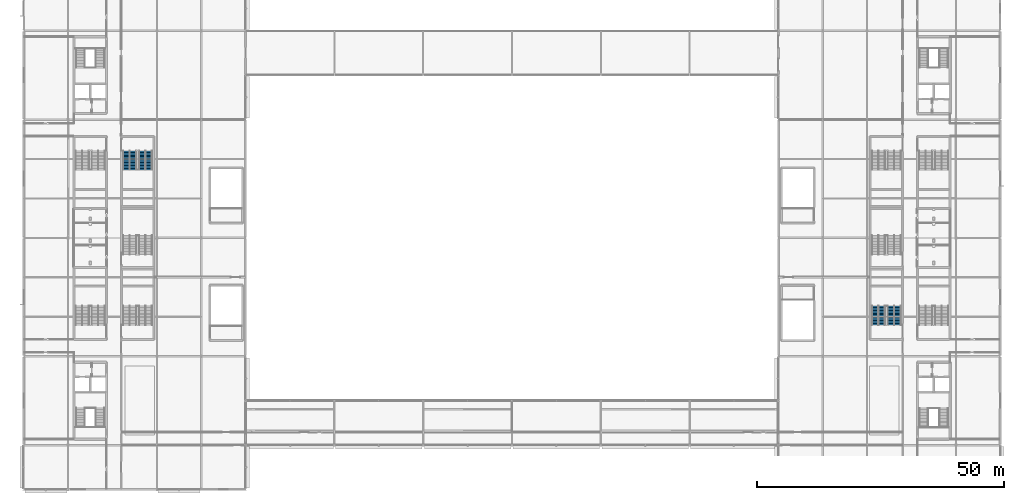
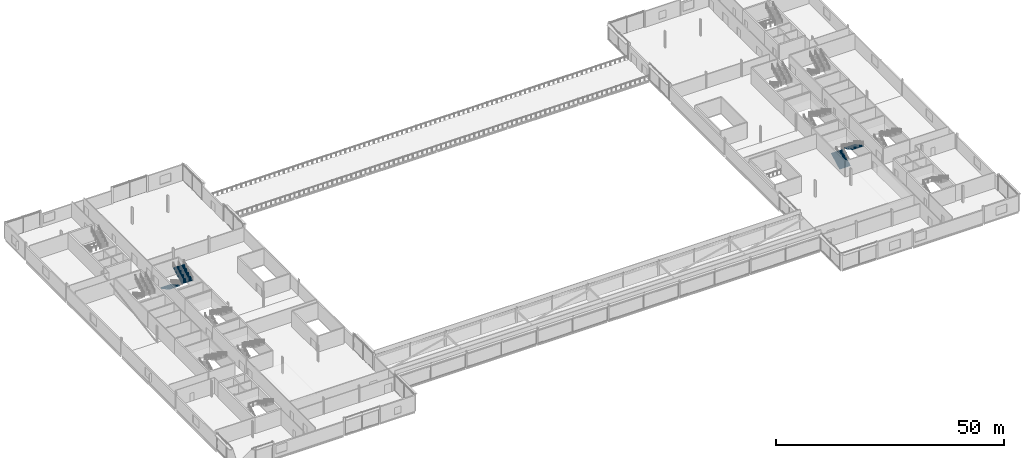
# One storey, part 62 of 73: 4 stair flights, 2 elements without a shape of their own.
"""IFC4 building model written with IfcOpenShell, lengths in metres."""

import ifcopenshell
import ifcopenshell.guid

model = None  # the IFC model being written
_history = None  # IfcOwnerHistory: only IFC2X3 demands one
_inside = {}  # id of a spatial element -> (the spatial element, [elements in it])
_under = {}  # id of a project, library or spatial element -> (it, [spatial elements below it])
_declared = {}  # id of a project -> (the project, [libraries it declares])
_typed = {}  # id of a type object -> (the type object, [elements of that type])
_made_of = {}  # id of a material, layer set ... -> (it, [elements and type objects made of it])


def new_model(schema):
    """Start an empty IFC model of exactly this schema.

    Asked for "IFC4X3", IfcOpenShell would pick the latest addendum, in which some entities
    have other attributes; the version numbers below select the first issue.
    IFC2X3 requires an IfcOwnerHistory on every rooted entity: one is made here for all.
    """
    global model, _history
    if schema == "IFC4X3":
        model = ifcopenshell.file(schema_version=(4, 3, 0, 0))
    else:
        model = ifcopenshell.file(schema=schema)
    _inside.clear()
    _under.clear()
    _declared.clear()
    _typed.clear()
    _made_of.clear()
    _history = None
    if model.schema == "IFC2X3":
        org = make("IfcOrganization", Name="unknown")
        user = make(
            "IfcPersonAndOrganization",
            ThePerson=make("IfcPerson", FamilyName="unknown"),
            TheOrganization=org,
        )
        app = make(
            "IfcApplication",
            ApplicationDeveloper=org,
            Version="unknown",
            ApplicationFullName="unknown",
            ApplicationIdentifier="unknown",
        )
        _history = make(
            "IfcOwnerHistory",
            OwningUser=user,
            OwningApplication=app,
            ChangeAction="ADDED",
            CreationDate=0,
        )
    return model


def make(cls, **values):
    """One entity of the class cls with the attributes given. An attribute that is None is left unset."""
    return model.create_entity(
        cls, **{name: value for name, value in values.items() if value is not None}
    )


def rooted(cls, **values):
    """An entity with a GlobalId (a new one), such as an element, a storey or a relation."""
    return make(cls, GlobalId=ifcopenshell.guid.new(), OwnerHistory=_history, **values)


def si_unit(unit_type, name, prefix=None):
    """IfcSIUnit, for example si_unit("LENGTHUNIT", "METRE", prefix="MILLI")."""
    return make("IfcSIUnit", UnitType=unit_type, Prefix=prefix, Name=name)


def assignment(units):
    """IfcUnitAssignment: the units of a project."""
    return None if units is None else make("IfcUnitAssignment", Units=units)


def point(xyz):
    """IfcCartesianPoint."""
    return None if xyz is None else make("IfcCartesianPoint", Coordinates=xyz)


def direction(xyz):
    """IfcDirection."""
    return None if xyz is None else make("IfcDirection", DirectionRatios=xyz)


def frame(location, z_axis=None, x_axis=None):
    """IfcAxis2Placement3D, a coordinate frame: its origin and axes. An axis left out is left unset."""
    return make(
        "IfcAxis2Placement3D",
        Location=point(location),
        Axis=direction(z_axis),
        RefDirection=direction(x_axis),
    )


def origin():
    """The frame at (0, 0, 0) with its axes left unset."""
    return frame((0.0, 0.0, 0.0))


def place(relative_to, where):
    """IfcLocalPlacement: puts the frame where relative to a parent placement (None: the world)."""
    return make(
        "IfcLocalPlacement", PlacementRelTo=relative_to, RelativePlacement=where
    )


def context(
    kind, dimensions, precision=None, world=None, true_north=None, identifier=None
):
    """IfcGeometricRepresentationContext, for example the 3D "Model" context."""
    return make(
        "IfcGeometricRepresentationContext",
        ContextIdentifier=identifier,
        ContextType=kind,
        CoordinateSpaceDimension=dimensions,
        Precision=precision,
        WorldCoordinateSystem=world,
        TrueNorth=true_north,
    )


def subcontext(parent, identifier, kind, view, scale=None):
    """IfcGeometricRepresentationSubContext, for example "Body" below "Model"."""
    return make(
        "IfcGeometricRepresentationSubContext",
        ContextIdentifier=identifier,
        ContextType=kind,
        ParentContext=parent,
        TargetScale=scale,
        TargetView=view,
    )


def project(units=None, contexts=None):
    """IfcProject with its units and contexts."""
    return rooted(
        "IfcProject",
        Name="project",
        RepresentationContexts=contexts,
        UnitsInContext=assignment(units),
    )


def spatial(cls, under=None, at=None, **own):
    """A site, building, storey or space (cls), placed at a placement, below another one or the project."""
    s = rooted(cls, ObjectPlacement=at, **own)
    if under is not None:
        _under.setdefault(under.id(), (under, []))[1].append(s)
    return s


def point_list(points):
    """IfcCartesianPointList2D or 3D."""
    cls = (
        "IfcCartesianPointList2D" if len(points[0]) == 2 else "IfcCartesianPointList3D"
    )
    return make(cls, CoordList=points)


def polygons(points, faces, closed=None, point_numbers=None):
    """IfcPolygonalFaceSet: a face is its outer loop, then its inner loops; points numbered from 1."""
    made = []
    for loops in faces:
        if len(loops) == 1:
            made.append(make("IfcIndexedPolygonalFace", CoordIndex=loops[0]))
        else:
            made.append(
                make(
                    "IfcIndexedPolygonalFaceWithVoids",
                    CoordIndex=loops[0],
                    InnerCoordIndices=loops[1:],
                )
            )
    return make(
        "IfcPolygonalFaceSet",
        Coordinates=point_list(points),
        Closed=closed,
        Faces=made,
        PnIndex=point_numbers,
    )


def shape(context_of_items, identifier, shape_type, items):
    """IfcShapeRepresentation: the items that make up one representation, for example the "Body"."""
    return make(
        "IfcShapeRepresentation",
        ContextOfItems=context_of_items,
        RepresentationIdentifier=identifier,
        RepresentationType=shape_type,
        Items=items,
    )


def material(Name=None, Category=None):
    """IfcMaterial."""
    return make("IfcMaterial", Name=Name, Category=Category)


def made_of(thing, what):
    """Note that an element or type object is made of a material, layer set ...; save() writes the relation."""
    if what is not None:
        _made_of.setdefault(what.id(), (what, []))[1].append(thing)
    return thing


def type_object(cls, material=None, **own):
    """A type object (cls), such as IfcWallType, which elements share."""
    return made_of(rooted(cls, **own), material)


def element(
    cls,
    number,
    at=None,
    inside=None,
    cuts=None,
    type_object=None,
    material=None,
    context=None,
    identifier="Body",
    shape_type=None,
    held_by="IfcProductDefinitionShape",
    body=None,
    shapes=None,
    **own,
):
    """One element of the class cls, such as IfcWall. Its Tag is "e" and its number.

    at: its placement. inside: the storey or other place that contains it. cuts: it is an
    opening in that element (IfcRelVoidsElement). A single representation is given by context,
    identifier, shape_type and body (its items); several are given by shapes. held_by: the class
    of the entity that holds the representations. save() writes the other relations.
    """
    e = rooted(cls, Tag="e%d" % number, ObjectPlacement=at, **own)
    if body is not None:
        shapes = [shape(context, identifier, shape_type, body)]
    if shapes is not None:
        e.Representation = make(held_by, Representations=shapes)
    if inside is not None:
        _inside.setdefault(inside.id(), (inside, []))[1].append(e)
    if cuts is not None:
        rooted(
            "IfcRelVoidsElement", RelatingBuildingElement=cuts, RelatedOpeningElement=e
        )
    if type_object is not None:
        _typed.setdefault(type_object.id(), (type_object, []))[1].append(e)
    return made_of(e, material)


def aggregate(whole, parts):
    """IfcRelAggregates: a whole, such as a stair, and the parts it consists of."""
    return rooted("IfcRelAggregates", RelatingObject=whole, RelatedObjects=parts)


def save(model, path):
    """Write the relations noted so far, then the file.

    IfcRelAggregates (storeys below a building ...), IfcRelContainedInSpatialStructure (elements
    in a storey), IfcRelDefinesByType, IfcRelAssociatesMaterial and IfcRelDeclares: one each for
    every whole, place, type object, material and project.
    """
    for whole, parts in _under.values():
        aggregate(whole, parts)
    for where, things in _inside.values():
        rooted(
            "IfcRelContainedInSpatialStructure",
            RelatedElements=things,
            RelatingStructure=where,
        )
    for kind, things in _typed.values():
        rooted("IfcRelDefinesByType", RelatedObjects=things, RelatingType=kind)
    for what, things in _made_of.values():
        rooted("IfcRelAssociatesMaterial", RelatedObjects=things, RelatingMaterial=what)
    for by, libraries in _declared.values():
        rooted("IfcRelDeclares", RelatingContext=by, RelatedDefinitions=libraries)
    model.write(path)


model = new_model("IFC4")

# Units and contexts
model_context = context("Model", 3, precision=1e-05, world=origin(), true_north=direction((0.0, 1.0)))
body_context = subcontext(model_context, "Body", "Model", "MODEL_VIEW")
ifc_project = project(units=[si_unit("LENGTHUNIT", "METRE"), si_unit("AREAUNIT", "SQUARE_METRE"), si_unit("VOLUMEUNIT", "CUBIC_METRE"), si_unit("PLANEANGLEUNIT", "RADIAN"), si_unit("MASSUNIT", "GRAM", prefix="KILO")], contexts=[model_context])

# Site, building, storey
site_placement = place(None, origin())
site = spatial("IfcSite", under=ifc_project, at=site_placement, CompositionType="ELEMENT")
building_placement = place(site_placement, origin())
building = spatial("IfcBuilding", under=site, at=building_placement, Name="Kisiwana Market Hall", CompositionType="ELEMENT")
storey_placement = place(building_placement, frame((0.0, 0.0, 33.300048828125)))
storey = spatial("IfcBuildingStorey", under=building, at=storey_placement, Name="L07", CompositionType="ELEMENT", Elevation=33.300048828125)

# Stair, stair flights
ifc_material_1 = material(Name="Concrete C32/40", Category="concrete")
stair_type = type_object("IfcStairType", Name="ST-ESC-4500", PredefinedType="TWO_STRAIGHT_RUN_STAIR", material=ifc_material_1)
stair_1_placement = place(storey_placement, origin())
stair_1 = element("IfcStair", 1, at=stair_1_placement, inside=storey, type_object=stair_type, Name="Escape stair ST-E7-L07", PredefinedType="TWO_STRAIGHT_RUN_STAIR")
ifc_material_2 = material(Name="Concrete C32/40", Category="concrete")
stair_flight_type = type_object("IfcStairFlightType", Name="SF-ESC-4500", PredefinedType="STRAIGHT", material=ifc_material_2)
stair_flight_1_placement = place(storey_placement, frame((173.2900390625, 42.360107421875, 0.0), z_axis=(0.0, 0.0, 1.0), x_axis=(0.0, 1.0, 0.0)))
stair_flight_1 = element("IfcStairFlight", 2, at=stair_flight_1_placement, type_object=stair_flight_type, Name="ST-E7-L07 flight 1", NumberOfRisers=14, NumberOfTreads=13, PredefinedType="STRAIGHT", RiserHeight=0.160714, TreadLength=0.295, context=body_context, shape_type="Tessellation", body=[
    polygons([(0.0, -1.380127, 0.0), (0.0, -0.690125, 0.0), (0.0, -0.000122, 0.0), (0.0, 0.68988, 0.0), (0.0, 1.379883, 0.0), (0.0, -1.380127, 0.160645), (0.0, -0.690125, 0.160645), (0.0, -0.000122, 0.160645), (0.0, 0.68988, 0.160645), (0.0, 1.379883, 0.160645), (0.294922, -1.380127, 0.160645), (0.294922, -0.690125, 0.160645), (0.294922, -0.000122, 0.160645), (0.294922, 0.68988, 0.160645), (0.294922, 1.379883, 0.160645), (0.294922, -1.380127, 0.321533), (0.294922, -0.690125, 0.321533), (0.294922, -0.000122, 0.321533), (0.294922, 0.68988, 0.321533), (0.294922, 1.379883, 0.321533), (0.590088, -1.380127, 0.321533), (0.590088, -0.690125, 0.321533), (0.590088, -0.000122, 0.321533), (0.590088, 0.68988, 0.321533), (0.590088, 1.379883, 0.321533), (0.590088, -1.380127, 0.482178), (0.590088, -0.690125, 0.482178), (0.590088, -0.000122, 0.482178), (0.590088, 0.68988, 0.482178), (0.590088, 1.379883, 0.482178), (0.88501, -1.380127, 0.482178), (0.88501, -0.690125, 0.482178), (0.88501, -0.000122, 0.482178), (0.88501, 0.68988, 0.482178), (0.88501, 1.379883, 0.482178), (0.88501, -1.380127, 0.642822), (0.88501, -0.690125, 0.642822), (0.88501, -0.000122, 0.642822), (0.88501, 0.68988, 0.642822), (0.88501, 1.379883, 0.642822), (1.179932, -1.380127, 0.642822), (1.179932, -0.690125, 0.642822), (1.179932, -0.000122, 0.642822), (1.179932, 0.68988, 0.642822), (1.179932, 1.379883, 0.642822), (1.179932, -1.380127, 0.803467), (1.179932, -0.690125, 0.803467), (1.179932, -0.000122, 0.803467), (1.179932, 0.68988, 0.803467), (1.179932, 1.379883, 0.803467), (1.475098, -1.380127, 0.803467), (1.475098, -0.690125, 0.803467), (1.475098, -0.000122, 0.803467), (1.475098, 0.68988, 0.803467), (1.475098, 1.379883, 0.803467), (1.475098, -1.380127, 0.964355), (1.475098, -0.690125, 0.964355), (1.475098, -0.000122, 0.964355), (1.475098, 0.68988, 0.964355), (1.475098, 1.379883, 0.964355), (1.77002, -1.380127, 0.964355), (1.77002, -0.690125, 0.964355), (1.77002, -0.000122, 0.964355), (1.77002, 0.68988, 0.964355), (1.77002, 1.379883, 0.964355), (1.77002, -1.380127, 1.125), (1.77002, -0.690125, 1.125), (1.77002, -0.000122, 1.125), (1.77002, 0.68988, 1.125), (1.77002, 1.379883, 1.125), (2.064941, -1.380127, 1.125), (2.064941, -0.690125, 1.125), (2.064941, -0.000122, 1.125), (2.064941, 0.68988, 1.125), (2.064941, 1.379883, 1.125), (2.064941, -1.380127, 1.285645), (2.064941, -0.690125, 1.285645), (2.064941, -0.000122, 1.285645), (2.064941, 0.68988, 1.285645), (2.064941, 1.379883, 1.285645), (2.360107, -1.380127, 1.285645), (2.360107, -0.690125, 1.285645), (2.360107, -0.000122, 1.285645), (2.360107, 0.68988, 1.285645), (2.360107, 1.379883, 1.285645), (2.360107, -1.380127, 1.446533), (2.360107, -0.690125, 1.446533), (2.360107, -0.000122, 1.446533), (2.360107, 0.68988, 1.446533), (2.360107, 1.379883, 1.446533), (2.655029, -1.380127, 1.446533), (2.655029, -0.690125, 1.446533), (2.655029, -0.000122, 1.446533), (2.655029, 0.68988, 1.446533), (2.655029, 1.379883, 1.446533), (2.655029, -1.380127, 1.607178), (2.655029, -0.690125, 1.607178), (2.655029, -0.000122, 1.607178), (2.655029, 0.68988, 1.607178), (2.655029, 1.379883, 1.607178), (2.949951, -1.380127, 1.607178), (2.949951, -0.690125, 1.607178), (2.949951, -0.000122, 1.607178), (2.949951, 0.68988, 1.607178), (2.949951, 1.379883, 1.607178), (2.949951, -1.380127, 1.767822), (2.949951, -0.690125, 1.767822), (2.949951, -0.000122, 1.767822), (2.949951, 0.68988, 1.767822), (2.949951, 1.379883, 1.767822), (3.245117, -1.380127, 1.767822), (3.245117, -0.690125, 1.767822), (3.245117, -0.000122, 1.767822), (3.245117, 0.68988, 1.767822), (3.245117, 1.379883, 1.767822), (3.245117, -1.380127, 1.928467), (3.245117, -0.690125, 1.928467), (3.245117, -0.000122, 1.928467), (3.245117, 0.68988, 1.928467), (3.245117, 1.379883, 1.928467), (3.540039, -1.380127, 1.928467), (3.540039, -0.690125, 1.928467), (3.540039, -0.000122, 1.928467), (3.540039, 0.68988, 1.928467), (3.540039, 1.379883, 1.928467), (3.540039, -1.380127, 2.089355), (3.540039, -0.690125, 2.089355), (3.540039, -0.000122, 2.089355), (3.540039, 0.68988, 2.089355), (3.540039, 1.379883, 2.089355), (3.834961, -1.380127, 2.089355), (3.834961, -0.690125, 2.089355), (3.834961, -0.000122, 2.089355), (3.834961, 0.68988, 2.089355), (3.834961, 1.379883, 2.089355), (3.834961, -1.380127, 1.884277), (3.834961, -0.690125, 1.884277), (3.834961, -0.000122, 1.884277), (3.834961, 0.68988, 1.884277), (3.834961, 1.379883, 1.884277), (0.376221, -1.380127, 0.0), (0.376221, -0.690125, 0.0), (0.376221, -0.000122, 0.0), (0.376221, 0.68988, 0.0), (0.376221, 1.379883, 0.0)], [[[1, 6, 7, 2]], [[2, 7, 8, 3]], [[3, 8, 9, 4]], [[4, 9, 10, 5]], [[6, 11, 12, 7]], [[7, 12, 13, 8]], [[8, 13, 14, 9]], [[9, 14, 15, 10]], [[11, 16, 17, 12]], [[12, 17, 18, 13]], [[13, 18, 19, 14]], [[14, 19, 20, 15]], [[16, 21, 22, 17]], [[17, 22, 23, 18]], [[18, 23, 24, 19]], [[19, 24, 25, 20]], [[21, 26, 27, 22]], [[22, 27, 28, 23]], [[23, 28, 29, 24]], [[24, 29, 30, 25]], [[26, 31, 32, 27]], [[27, 32, 33, 28]], [[28, 33, 34, 29]], [[29, 34, 35, 30]], [[31, 36, 37, 32]], [[32, 37, 38, 33]], [[33, 38, 39, 34]], [[34, 39, 40, 35]], [[36, 41, 42, 37]], [[37, 42, 43, 38]], [[38, 43, 44, 39]], [[39, 44, 45, 40]], [[41, 46, 47, 42]], [[42, 47, 48, 43]], [[43, 48, 49, 44]], [[44, 49, 50, 45]], [[46, 51, 52, 47]], [[47, 52, 53, 48]], [[48, 53, 54, 49]], [[49, 54, 55, 50]], [[51, 56, 57, 52]], [[52, 57, 58, 53]], [[53, 58, 59, 54]], [[54, 59, 60, 55]], [[56, 61, 62, 57]], [[57, 62, 63, 58]], [[58, 63, 64, 59]], [[59, 64, 65, 60]], [[61, 66, 67, 62]], [[62, 67, 68, 63]], [[63, 68, 69, 64]], [[64, 69, 70, 65]], [[66, 71, 72, 67]], [[67, 72, 73, 68]], [[68, 73, 74, 69]], [[69, 74, 75, 70]], [[71, 76, 77, 72]], [[72, 77, 78, 73]], [[73, 78, 79, 74]], [[74, 79, 80, 75]], [[76, 81, 82, 77]], [[77, 82, 83, 78]], [[78, 83, 84, 79]], [[79, 84, 85, 80]], [[81, 86, 87, 82]], [[82, 87, 88, 83]], [[83, 88, 89, 84]], [[84, 89, 90, 85]], [[86, 91, 92, 87]], [[87, 92, 93, 88]], [[88, 93, 94, 89]], [[89, 94, 95, 90]], [[91, 96, 97, 92]], [[92, 97, 98, 93]], [[93, 98, 99, 94]], [[94, 99, 100, 95]], [[96, 101, 102, 97]], [[97, 102, 103, 98]], [[98, 103, 104, 99]], [[99, 104, 105, 100]], [[101, 106, 107, 102]], [[102, 107, 108, 103]], [[103, 108, 109, 104]], [[104, 109, 110, 105]], [[106, 111, 112, 107]], [[107, 112, 113, 108]], [[108, 113, 114, 109]], [[109, 114, 115, 110]], [[111, 116, 117, 112]], [[112, 117, 118, 113]], [[113, 118, 119, 114]], [[114, 119, 120, 115]], [[116, 121, 122, 117]], [[117, 122, 123, 118]], [[118, 123, 124, 119]], [[119, 124, 125, 120]], [[121, 126, 127, 122]], [[122, 127, 128, 123]], [[123, 128, 129, 124]], [[124, 129, 130, 125]], [[126, 131, 132, 127]], [[127, 132, 133, 128]], [[128, 133, 134, 129]], [[129, 134, 135, 130]], [[131, 136, 137, 132]], [[132, 137, 138, 133]], [[133, 138, 139, 134]], [[134, 139, 140, 135]], [[136, 141, 142, 137]], [[137, 142, 143, 138]], [[138, 143, 144, 139]], [[139, 144, 145, 140]], [[141, 1, 2, 142]], [[142, 2, 3, 143]], [[143, 3, 4, 144]], [[144, 4, 5, 145]], [[141, 136, 131, 126, 121, 116, 111, 106, 101, 96, 91, 86, 81, 76, 71, 66, 61, 56, 51, 46, 41, 36, 31, 26, 21, 16, 11, 6, 1]], [[5, 10, 15, 20, 25, 30, 35, 40, 45, 50, 55, 60, 65, 70, 75, 80, 85, 90, 95, 100, 105, 110, 115, 120, 125, 130, 135, 140, 145]]], closed=True),
])
stair_flight_2_placement = place(storey_placement, frame((176.510009765625, 46.195068359375, 2.25), z_axis=(0.0, 0.0, 1.0), x_axis=(0.0, -1.0, 0.0)))
stair_flight_2 = element("IfcStairFlight", 3, at=stair_flight_2_placement, type_object=stair_flight_type, Name="ST-E7-L07 flight 2", NumberOfRisers=14, NumberOfTreads=13, PredefinedType="STRAIGHT", RiserHeight=0.160714, TreadLength=0.295, context=body_context, shape_type="Tessellation", body=[
    polygons([(0.0, -1.380127, 0.0), (0.0, -0.690125, 0.0), (0.0, -0.000122, 0.0), (0.0, 0.68988, 0.0), (0.0, 1.379883, 0.0), (0.0, -1.380127, 0.160645), (0.0, -0.690125, 0.160645), (0.0, -0.000122, 0.160645), (0.0, 0.68988, 0.160645), (0.0, 1.379883, 0.160645), (0.294922, -1.380127, 0.160645), (0.294922, -0.690125, 0.160645), (0.294922, -0.000122, 0.160645), (0.294922, 0.68988, 0.160645), (0.294922, 1.379883, 0.160645), (0.294922, -1.380127, 0.321533), (0.294922, -0.690125, 0.321533), (0.294922, -0.000122, 0.321533), (0.294922, 0.68988, 0.321533), (0.294922, 1.379883, 0.321533), (0.590088, -1.380127, 0.321533), (0.590088, -0.690125, 0.321533), (0.590088, -0.000122, 0.321533), (0.590088, 0.68988, 0.321533), (0.590088, 1.379883, 0.321533), (0.590088, -1.380127, 0.482178), (0.590088, -0.690125, 0.482178), (0.590088, -0.000122, 0.482178), (0.590088, 0.68988, 0.482178), (0.590088, 1.379883, 0.482178), (0.88501, -1.380127, 0.482178), (0.88501, -0.690125, 0.482178), (0.88501, -0.000122, 0.482178), (0.88501, 0.68988, 0.482178), (0.88501, 1.379883, 0.482178), (0.88501, -1.380127, 0.642822), (0.88501, -0.690125, 0.642822), (0.88501, -0.000122, 0.642822), (0.88501, 0.68988, 0.642822), (0.88501, 1.379883, 0.642822), (1.179932, -1.380127, 0.642822), (1.179932, -0.690125, 0.642822), (1.179932, -0.000122, 0.642822), (1.179932, 0.68988, 0.642822), (1.179932, 1.379883, 0.642822), (1.179932, -1.380127, 0.803467), (1.179932, -0.690125, 0.803467), (1.179932, -0.000122, 0.803467), (1.179932, 0.68988, 0.803467), (1.179932, 1.379883, 0.803467), (1.475098, -1.380127, 0.803467), (1.475098, -0.690125, 0.803467), (1.475098, -0.000122, 0.803467), (1.475098, 0.68988, 0.803467), (1.475098, 1.379883, 0.803467), (1.475098, -1.380127, 0.964355), (1.475098, -0.690125, 0.964355), (1.475098, -0.000122, 0.964355), (1.475098, 0.68988, 0.964355), (1.475098, 1.379883, 0.964355), (1.77002, -1.380127, 0.964355), (1.77002, -0.690125, 0.964355), (1.77002, -0.000122, 0.964355), (1.77002, 0.68988, 0.964355), (1.77002, 1.379883, 0.964355), (1.77002, -1.380127, 1.125), (1.77002, -0.690125, 1.125), (1.77002, -0.000122, 1.125), (1.77002, 0.68988, 1.125), (1.77002, 1.379883, 1.125), (2.064941, -1.380127, 1.125), (2.064941, -0.690125, 1.125), (2.064941, -0.000122, 1.125), (2.064941, 0.68988, 1.125), (2.064941, 1.379883, 1.125), (2.064941, -1.380127, 1.285645), (2.064941, -0.690125, 1.285645), (2.064941, -0.000122, 1.285645), (2.064941, 0.68988, 1.285645), (2.064941, 1.379883, 1.285645), (2.360107, -1.380127, 1.285645), (2.360107, -0.690125, 1.285645), (2.360107, -0.000122, 1.285645), (2.360107, 0.68988, 1.285645), (2.360107, 1.379883, 1.285645), (2.360107, -1.380127, 1.446533), (2.360107, -0.690125, 1.446533), (2.360107, -0.000122, 1.446533), (2.360107, 0.68988, 1.446533), (2.360107, 1.379883, 1.446533), (2.655029, -1.380127, 1.446533), (2.655029, -0.690125, 1.446533), (2.655029, -0.000122, 1.446533), (2.655029, 0.68988, 1.446533), (2.655029, 1.379883, 1.446533), (2.655029, -1.380127, 1.607178), (2.655029, -0.690125, 1.607178), (2.655029, -0.000122, 1.607178), (2.655029, 0.68988, 1.607178), (2.655029, 1.379883, 1.607178), (2.949951, -1.380127, 1.607178), (2.949951, -0.690125, 1.607178), (2.949951, -0.000122, 1.607178), (2.949951, 0.68988, 1.607178), (2.949951, 1.379883, 1.607178), (2.949951, -1.380127, 1.767822), (2.949951, -0.690125, 1.767822), (2.949951, -0.000122, 1.767822), (2.949951, 0.68988, 1.767822), (2.949951, 1.379883, 1.767822), (3.245117, -1.380127, 1.767822), (3.245117, -0.690125, 1.767822), (3.245117, -0.000122, 1.767822), (3.245117, 0.68988, 1.767822), (3.245117, 1.379883, 1.767822), (3.245117, -1.380127, 1.928467), (3.245117, -0.690125, 1.928467), (3.245117, -0.000122, 1.928467), (3.245117, 0.68988, 1.928467), (3.245117, 1.379883, 1.928467), (3.540039, -1.380127, 1.928467), (3.540039, -0.690125, 1.928467), (3.540039, -0.000122, 1.928467), (3.540039, 0.68988, 1.928467), (3.540039, 1.379883, 1.928467), (3.540039, -1.380127, 2.089355), (3.540039, -0.690125, 2.089355), (3.540039, -0.000122, 2.089355), (3.540039, 0.68988, 2.089355), (3.540039, 1.379883, 2.089355), (3.834961, -1.380127, 2.089355), (3.834961, -0.690125, 2.089355), (3.834961, -0.000122, 2.089355), (3.834961, 0.68988, 2.089355), (3.834961, 1.379883, 2.089355), (3.834961, -1.380127, 1.884277), (3.834961, -0.690125, 1.884277), (3.834961, -0.000122, 1.884277), (3.834961, 0.68988, 1.884277), (3.834961, 1.379883, 1.884277), (0.376221, -1.380127, 0.0), (0.376221, -0.690125, 0.0), (0.376221, -0.000122, 0.0), (0.376221, 0.68988, 0.0), (0.376221, 1.379883, 0.0)], [[[1, 6, 7, 2]], [[2, 7, 8, 3]], [[3, 8, 9, 4]], [[4, 9, 10, 5]], [[6, 11, 12, 7]], [[7, 12, 13, 8]], [[8, 13, 14, 9]], [[9, 14, 15, 10]], [[11, 16, 17, 12]], [[12, 17, 18, 13]], [[13, 18, 19, 14]], [[14, 19, 20, 15]], [[16, 21, 22, 17]], [[17, 22, 23, 18]], [[18, 23, 24, 19]], [[19, 24, 25, 20]], [[21, 26, 27, 22]], [[22, 27, 28, 23]], [[23, 28, 29, 24]], [[24, 29, 30, 25]], [[26, 31, 32, 27]], [[27, 32, 33, 28]], [[28, 33, 34, 29]], [[29, 34, 35, 30]], [[31, 36, 37, 32]], [[32, 37, 38, 33]], [[33, 38, 39, 34]], [[34, 39, 40, 35]], [[36, 41, 42, 37]], [[37, 42, 43, 38]], [[38, 43, 44, 39]], [[39, 44, 45, 40]], [[41, 46, 47, 42]], [[42, 47, 48, 43]], [[43, 48, 49, 44]], [[44, 49, 50, 45]], [[46, 51, 52, 47]], [[47, 52, 53, 48]], [[48, 53, 54, 49]], [[49, 54, 55, 50]], [[51, 56, 57, 52]], [[52, 57, 58, 53]], [[53, 58, 59, 54]], [[54, 59, 60, 55]], [[56, 61, 62, 57]], [[57, 62, 63, 58]], [[58, 63, 64, 59]], [[59, 64, 65, 60]], [[61, 66, 67, 62]], [[62, 67, 68, 63]], [[63, 68, 69, 64]], [[64, 69, 70, 65]], [[66, 71, 72, 67]], [[67, 72, 73, 68]], [[68, 73, 74, 69]], [[69, 74, 75, 70]], [[71, 76, 77, 72]], [[72, 77, 78, 73]], [[73, 78, 79, 74]], [[74, 79, 80, 75]], [[76, 81, 82, 77]], [[77, 82, 83, 78]], [[78, 83, 84, 79]], [[79, 84, 85, 80]], [[81, 86, 87, 82]], [[82, 87, 88, 83]], [[83, 88, 89, 84]], [[84, 89, 90, 85]], [[86, 91, 92, 87]], [[87, 92, 93, 88]], [[88, 93, 94, 89]], [[89, 94, 95, 90]], [[91, 96, 97, 92]], [[92, 97, 98, 93]], [[93, 98, 99, 94]], [[94, 99, 100, 95]], [[96, 101, 102, 97]], [[97, 102, 103, 98]], [[98, 103, 104, 99]], [[99, 104, 105, 100]], [[101, 106, 107, 102]], [[102, 107, 108, 103]], [[103, 108, 109, 104]], [[104, 109, 110, 105]], [[106, 111, 112, 107]], [[107, 112, 113, 108]], [[108, 113, 114, 109]], [[109, 114, 115, 110]], [[111, 116, 117, 112]], [[112, 117, 118, 113]], [[113, 118, 119, 114]], [[114, 119, 120, 115]], [[116, 121, 122, 117]], [[117, 122, 123, 118]], [[118, 123, 124, 119]], [[119, 124, 125, 120]], [[121, 126, 127, 122]], [[122, 127, 128, 123]], [[123, 128, 129, 124]], [[124, 129, 130, 125]], [[126, 131, 132, 127]], [[127, 132, 133, 128]], [[128, 133, 134, 129]], [[129, 134, 135, 130]], [[131, 136, 137, 132]], [[132, 137, 138, 133]], [[133, 138, 139, 134]], [[134, 139, 140, 135]], [[136, 141, 142, 137]], [[137, 142, 143, 138]], [[138, 143, 144, 139]], [[139, 144, 145, 140]], [[141, 1, 2, 142]], [[142, 2, 3, 143]], [[143, 3, 4, 144]], [[144, 4, 5, 145]], [[141, 136, 131, 126, 121, 116, 111, 106, 101, 96, 91, 86, 81, 76, 71, 66, 61, 56, 51, 46, 41, 36, 31, 26, 21, 16, 11, 6, 1]], [[5, 10, 15, 20, 25, 30, 35, 40, 45, 50, 55, 60, 65, 70, 75, 80, 85, 90, 95, 100, 105, 110, 115, 120, 125, 130, 135, 140, 145]]], closed=True),
])
aggregate(stair_1, [stair_flight_1, stair_flight_2])

stair_2_placement = place(storey_placement, origin())
stair_2 = element("IfcStair", 4, at=stair_2_placement, inside=storey, type_object=stair_type, Name="Escape stair ST-W8-L07", PredefinedType="TWO_STRAIGHT_RUN_STAIR")
stair_flight_3_placement = place(storey_placement, frame((21.489990234375, 77.639892578125, 0.0), z_axis=(0.0, 0.0, 1.0), x_axis=(0.0, -1.0, 0.0)))
stair_flight_3 = element("IfcStairFlight", 5, at=stair_flight_3_placement, type_object=stair_flight_type, Name="ST-W8-L07 flight 1", NumberOfRisers=14, NumberOfTreads=13, PredefinedType="STRAIGHT", RiserHeight=0.160714, TreadLength=0.295, context=body_context, shape_type="Tessellation", body=[
    polygons([(0.0, -1.380127, 0.0), (0.0, -0.690125, 0.0), (0.0, -0.000122, 0.0), (0.0, 0.68988, 0.0), (0.0, 1.379883, 0.0), (0.0, -1.380127, 0.160645), (0.0, -0.690125, 0.160645), (0.0, -0.000122, 0.160645), (0.0, 0.68988, 0.160645), (0.0, 1.379883, 0.160645), (0.294922, -1.380127, 0.160645), (0.294922, -0.690125, 0.160645), (0.294922, -0.000122, 0.160645), (0.294922, 0.68988, 0.160645), (0.294922, 1.379883, 0.160645), (0.294922, -1.380127, 0.321533), (0.294922, -0.690125, 0.321533), (0.294922, -0.000122, 0.321533), (0.294922, 0.68988, 0.321533), (0.294922, 1.379883, 0.321533), (0.590088, -1.380127, 0.321533), (0.590088, -0.690125, 0.321533), (0.590088, -0.000122, 0.321533), (0.590088, 0.68988, 0.321533), (0.590088, 1.379883, 0.321533), (0.590088, -1.380127, 0.482178), (0.590088, -0.690125, 0.482178), (0.590088, -0.000122, 0.482178), (0.590088, 0.68988, 0.482178), (0.590088, 1.379883, 0.482178), (0.88501, -1.380127, 0.482178), (0.88501, -0.690125, 0.482178), (0.88501, -0.000122, 0.482178), (0.88501, 0.68988, 0.482178), (0.88501, 1.379883, 0.482178), (0.88501, -1.380127, 0.642822), (0.88501, -0.690125, 0.642822), (0.88501, -0.000122, 0.642822), (0.88501, 0.68988, 0.642822), (0.88501, 1.379883, 0.642822), (1.179932, -1.380127, 0.642822), (1.179932, -0.690125, 0.642822), (1.179932, -0.000122, 0.642822), (1.179932, 0.68988, 0.642822), (1.179932, 1.379883, 0.642822), (1.179932, -1.380127, 0.803467), (1.179932, -0.690125, 0.803467), (1.179932, -0.000122, 0.803467), (1.179932, 0.68988, 0.803467), (1.179932, 1.379883, 0.803467), (1.475098, -1.380127, 0.803467), (1.475098, -0.690125, 0.803467), (1.475098, -0.000122, 0.803467), (1.475098, 0.68988, 0.803467), (1.475098, 1.379883, 0.803467), (1.475098, -1.380127, 0.964355), (1.475098, -0.690125, 0.964355), (1.475098, -0.000122, 0.964355), (1.475098, 0.68988, 0.964355), (1.475098, 1.379883, 0.964355), (1.77002, -1.380127, 0.964355), (1.77002, -0.690125, 0.964355), (1.77002, -0.000122, 0.964355), (1.77002, 0.68988, 0.964355), (1.77002, 1.379883, 0.964355), (1.77002, -1.380127, 1.125), (1.77002, -0.690125, 1.125), (1.77002, -0.000122, 1.125), (1.77002, 0.68988, 1.125), (1.77002, 1.379883, 1.125), (2.064941, -1.380127, 1.125), (2.064941, -0.690125, 1.125), (2.064941, -0.000122, 1.125), (2.064941, 0.68988, 1.125), (2.064941, 1.379883, 1.125), (2.064941, -1.380127, 1.285645), (2.064941, -0.690125, 1.285645), (2.064941, -0.000122, 1.285645), (2.064941, 0.68988, 1.285645), (2.064941, 1.379883, 1.285645), (2.360107, -1.380127, 1.285645), (2.360107, -0.690125, 1.285645), (2.360107, -0.000122, 1.285645), (2.360107, 0.68988, 1.285645), (2.360107, 1.379883, 1.285645), (2.360107, -1.380127, 1.446533), (2.360107, -0.690125, 1.446533), (2.360107, -0.000122, 1.446533), (2.360107, 0.68988, 1.446533), (2.360107, 1.379883, 1.446533), (2.655029, -1.380127, 1.446533), (2.655029, -0.690125, 1.446533), (2.655029, -0.000122, 1.446533), (2.655029, 0.68988, 1.446533), (2.655029, 1.379883, 1.446533), (2.655029, -1.380127, 1.607178), (2.655029, -0.690125, 1.607178), (2.655029, -0.000122, 1.607178), (2.655029, 0.68988, 1.607178), (2.655029, 1.379883, 1.607178), (2.949951, -1.380127, 1.607178), (2.949951, -0.690125, 1.607178), (2.949951, -0.000122, 1.607178), (2.949951, 0.68988, 1.607178), (2.949951, 1.379883, 1.607178), (2.949951, -1.380127, 1.767822), (2.949951, -0.690125, 1.767822), (2.949951, -0.000122, 1.767822), (2.949951, 0.68988, 1.767822), (2.949951, 1.379883, 1.767822), (3.245117, -1.380127, 1.767822), (3.245117, -0.690125, 1.767822), (3.245117, -0.000122, 1.767822), (3.245117, 0.68988, 1.767822), (3.245117, 1.379883, 1.767822), (3.245117, -1.380127, 1.928467), (3.245117, -0.690125, 1.928467), (3.245117, -0.000122, 1.928467), (3.245117, 0.68988, 1.928467), (3.245117, 1.379883, 1.928467), (3.540039, -1.380127, 1.928467), (3.540039, -0.690125, 1.928467), (3.540039, -0.000122, 1.928467), (3.540039, 0.68988, 1.928467), (3.540039, 1.379883, 1.928467), (3.540039, -1.380127, 2.089355), (3.540039, -0.690125, 2.089355), (3.540039, -0.000122, 2.089355), (3.540039, 0.68988, 2.089355), (3.540039, 1.379883, 2.089355), (3.834961, -1.380127, 2.089355), (3.834961, -0.690125, 2.089355), (3.834961, -0.000122, 2.089355), (3.834961, 0.68988, 2.089355), (3.834961, 1.379883, 2.089355), (3.834961, -1.380127, 1.884277), (3.834961, -0.690125, 1.884277), (3.834961, -0.000122, 1.884277), (3.834961, 0.68988, 1.884277), (3.834961, 1.379883, 1.884277), (0.376221, -1.380127, 0.0), (0.376221, -0.690125, 0.0), (0.376221, -0.000122, 0.0), (0.376221, 0.68988, 0.0), (0.376221, 1.379883, 0.0)], [[[1, 6, 7, 2]], [[2, 7, 8, 3]], [[3, 8, 9, 4]], [[4, 9, 10, 5]], [[6, 11, 12, 7]], [[7, 12, 13, 8]], [[8, 13, 14, 9]], [[9, 14, 15, 10]], [[11, 16, 17, 12]], [[12, 17, 18, 13]], [[13, 18, 19, 14]], [[14, 19, 20, 15]], [[16, 21, 22, 17]], [[17, 22, 23, 18]], [[18, 23, 24, 19]], [[19, 24, 25, 20]], [[21, 26, 27, 22]], [[22, 27, 28, 23]], [[23, 28, 29, 24]], [[24, 29, 30, 25]], [[26, 31, 32, 27]], [[27, 32, 33, 28]], [[28, 33, 34, 29]], [[29, 34, 35, 30]], [[31, 36, 37, 32]], [[32, 37, 38, 33]], [[33, 38, 39, 34]], [[34, 39, 40, 35]], [[36, 41, 42, 37]], [[37, 42, 43, 38]], [[38, 43, 44, 39]], [[39, 44, 45, 40]], [[41, 46, 47, 42]], [[42, 47, 48, 43]], [[43, 48, 49, 44]], [[44, 49, 50, 45]], [[46, 51, 52, 47]], [[47, 52, 53, 48]], [[48, 53, 54, 49]], [[49, 54, 55, 50]], [[51, 56, 57, 52]], [[52, 57, 58, 53]], [[53, 58, 59, 54]], [[54, 59, 60, 55]], [[56, 61, 62, 57]], [[57, 62, 63, 58]], [[58, 63, 64, 59]], [[59, 64, 65, 60]], [[61, 66, 67, 62]], [[62, 67, 68, 63]], [[63, 68, 69, 64]], [[64, 69, 70, 65]], [[66, 71, 72, 67]], [[67, 72, 73, 68]], [[68, 73, 74, 69]], [[69, 74, 75, 70]], [[71, 76, 77, 72]], [[72, 77, 78, 73]], [[73, 78, 79, 74]], [[74, 79, 80, 75]], [[76, 81, 82, 77]], [[77, 82, 83, 78]], [[78, 83, 84, 79]], [[79, 84, 85, 80]], [[81, 86, 87, 82]], [[82, 87, 88, 83]], [[83, 88, 89, 84]], [[84, 89, 90, 85]], [[86, 91, 92, 87]], [[87, 92, 93, 88]], [[88, 93, 94, 89]], [[89, 94, 95, 90]], [[91, 96, 97, 92]], [[92, 97, 98, 93]], [[93, 98, 99, 94]], [[94, 99, 100, 95]], [[96, 101, 102, 97]], [[97, 102, 103, 98]], [[98, 103, 104, 99]], [[99, 104, 105, 100]], [[101, 106, 107, 102]], [[102, 107, 108, 103]], [[103, 108, 109, 104]], [[104, 109, 110, 105]], [[106, 111, 112, 107]], [[107, 112, 113, 108]], [[108, 113, 114, 109]], [[109, 114, 115, 110]], [[111, 116, 117, 112]], [[112, 117, 118, 113]], [[113, 118, 119, 114]], [[114, 119, 120, 115]], [[116, 121, 122, 117]], [[117, 122, 123, 118]], [[118, 123, 124, 119]], [[119, 124, 125, 120]], [[121, 126, 127, 122]], [[122, 127, 128, 123]], [[123, 128, 129, 124]], [[124, 129, 130, 125]], [[126, 131, 132, 127]], [[127, 132, 133, 128]], [[128, 133, 134, 129]], [[129, 134, 135, 130]], [[131, 136, 137, 132]], [[132, 137, 138, 133]], [[133, 138, 139, 134]], [[134, 139, 140, 135]], [[136, 141, 142, 137]], [[137, 142, 143, 138]], [[138, 143, 144, 139]], [[139, 144, 145, 140]], [[141, 1, 2, 142]], [[142, 2, 3, 143]], [[143, 3, 4, 144]], [[144, 4, 5, 145]], [[141, 136, 131, 126, 121, 116, 111, 106, 101, 96, 91, 86, 81, 76, 71, 66, 61, 56, 51, 46, 41, 36, 31, 26, 21, 16, 11, 6, 1]], [[5, 10, 15, 20, 25, 30, 35, 40, 45, 50, 55, 60, 65, 70, 75, 80, 85, 90, 95, 100, 105, 110, 115, 120, 125, 130, 135, 140, 145]]], closed=True),
])
stair_flight_4_placement = place(storey_placement, frame((24.7099609375, 73.804931640625, 2.25), z_axis=(0.0, 0.0, 1.0), x_axis=(0.0, 1.0, 0.0)))
stair_flight_4 = element("IfcStairFlight", 6, at=stair_flight_4_placement, type_object=stair_flight_type, Name="ST-W8-L07 flight 2", NumberOfRisers=14, NumberOfTreads=13, PredefinedType="STRAIGHT", RiserHeight=0.160714, TreadLength=0.295, context=body_context, shape_type="Tessellation", body=[
    polygons([(0.0, -1.380127, 0.0), (0.0, -0.690125, 0.0), (0.0, -0.000122, 0.0), (0.0, 0.68988, 0.0), (0.0, 1.379883, 0.0), (0.0, -1.380127, 0.160645), (0.0, -0.690125, 0.160645), (0.0, -0.000122, 0.160645), (0.0, 0.68988, 0.160645), (0.0, 1.379883, 0.160645), (0.294922, -1.380127, 0.160645), (0.294922, -0.690125, 0.160645), (0.294922, -0.000122, 0.160645), (0.294922, 0.68988, 0.160645), (0.294922, 1.379883, 0.160645), (0.294922, -1.380127, 0.321533), (0.294922, -0.690125, 0.321533), (0.294922, -0.000122, 0.321533), (0.294922, 0.68988, 0.321533), (0.294922, 1.379883, 0.321533), (0.590088, -1.380127, 0.321533), (0.590088, -0.690125, 0.321533), (0.590088, -0.000122, 0.321533), (0.590088, 0.68988, 0.321533), (0.590088, 1.379883, 0.321533), (0.590088, -1.380127, 0.482178), (0.590088, -0.690125, 0.482178), (0.590088, -0.000122, 0.482178), (0.590088, 0.68988, 0.482178), (0.590088, 1.379883, 0.482178), (0.88501, -1.380127, 0.482178), (0.88501, -0.690125, 0.482178), (0.88501, -0.000122, 0.482178), (0.88501, 0.68988, 0.482178), (0.88501, 1.379883, 0.482178), (0.88501, -1.380127, 0.642822), (0.88501, -0.690125, 0.642822), (0.88501, -0.000122, 0.642822), (0.88501, 0.68988, 0.642822), (0.88501, 1.379883, 0.642822), (1.179932, -1.380127, 0.642822), (1.179932, -0.690125, 0.642822), (1.179932, -0.000122, 0.642822), (1.179932, 0.68988, 0.642822), (1.179932, 1.379883, 0.642822), (1.179932, -1.380127, 0.803467), (1.179932, -0.690125, 0.803467), (1.179932, -0.000122, 0.803467), (1.179932, 0.68988, 0.803467), (1.179932, 1.379883, 0.803467), (1.475098, -1.380127, 0.803467), (1.475098, -0.690125, 0.803467), (1.475098, -0.000122, 0.803467), (1.475098, 0.68988, 0.803467), (1.475098, 1.379883, 0.803467), (1.475098, -1.380127, 0.964355), (1.475098, -0.690125, 0.964355), (1.475098, -0.000122, 0.964355), (1.475098, 0.68988, 0.964355), (1.475098, 1.379883, 0.964355), (1.77002, -1.380127, 0.964355), (1.77002, -0.690125, 0.964355), (1.77002, -0.000122, 0.964355), (1.77002, 0.68988, 0.964355), (1.77002, 1.379883, 0.964355), (1.77002, -1.380127, 1.125), (1.77002, -0.690125, 1.125), (1.77002, -0.000122, 1.125), (1.77002, 0.68988, 1.125), (1.77002, 1.379883, 1.125), (2.064941, -1.380127, 1.125), (2.064941, -0.690125, 1.125), (2.064941, -0.000122, 1.125), (2.064941, 0.68988, 1.125), (2.064941, 1.379883, 1.125), (2.064941, -1.380127, 1.285645), (2.064941, -0.690125, 1.285645), (2.064941, -0.000122, 1.285645), (2.064941, 0.68988, 1.285645), (2.064941, 1.379883, 1.285645), (2.360107, -1.380127, 1.285645), (2.360107, -0.690125, 1.285645), (2.360107, -0.000122, 1.285645), (2.360107, 0.68988, 1.285645), (2.360107, 1.379883, 1.285645), (2.360107, -1.380127, 1.446533), (2.360107, -0.690125, 1.446533), (2.360107, -0.000122, 1.446533), (2.360107, 0.68988, 1.446533), (2.360107, 1.379883, 1.446533), (2.655029, -1.380127, 1.446533), (2.655029, -0.690125, 1.446533), (2.655029, -0.000122, 1.446533), (2.655029, 0.68988, 1.446533), (2.655029, 1.379883, 1.446533), (2.655029, -1.380127, 1.607178), (2.655029, -0.690125, 1.607178), (2.655029, -0.000122, 1.607178), (2.655029, 0.68988, 1.607178), (2.655029, 1.379883, 1.607178), (2.949951, -1.380127, 1.607178), (2.949951, -0.690125, 1.607178), (2.949951, -0.000122, 1.607178), (2.949951, 0.68988, 1.607178), (2.949951, 1.379883, 1.607178), (2.949951, -1.380127, 1.767822), (2.949951, -0.690125, 1.767822), (2.949951, -0.000122, 1.767822), (2.949951, 0.68988, 1.767822), (2.949951, 1.379883, 1.767822), (3.245117, -1.380127, 1.767822), (3.245117, -0.690125, 1.767822), (3.245117, -0.000122, 1.767822), (3.245117, 0.68988, 1.767822), (3.245117, 1.379883, 1.767822), (3.245117, -1.380127, 1.928467), (3.245117, -0.690125, 1.928467), (3.245117, -0.000122, 1.928467), (3.245117, 0.68988, 1.928467), (3.245117, 1.379883, 1.928467), (3.540039, -1.380127, 1.928467), (3.540039, -0.690125, 1.928467), (3.540039, -0.000122, 1.928467), (3.540039, 0.68988, 1.928467), (3.540039, 1.379883, 1.928467), (3.540039, -1.380127, 2.089355), (3.540039, -0.690125, 2.089355), (3.540039, -0.000122, 2.089355), (3.540039, 0.68988, 2.089355), (3.540039, 1.379883, 2.089355), (3.834961, -1.380127, 2.089355), (3.834961, -0.690125, 2.089355), (3.834961, -0.000122, 2.089355), (3.834961, 0.68988, 2.089355), (3.834961, 1.379883, 2.089355), (3.834961, -1.380127, 1.884277), (3.834961, -0.690125, 1.884277), (3.834961, -0.000122, 1.884277), (3.834961, 0.68988, 1.884277), (3.834961, 1.379883, 1.884277), (0.376221, -1.380127, 0.0), (0.376221, -0.690125, 0.0), (0.376221, -0.000122, 0.0), (0.376221, 0.68988, 0.0), (0.376221, 1.379883, 0.0)], [[[1, 6, 7, 2]], [[2, 7, 8, 3]], [[3, 8, 9, 4]], [[4, 9, 10, 5]], [[6, 11, 12, 7]], [[7, 12, 13, 8]], [[8, 13, 14, 9]], [[9, 14, 15, 10]], [[11, 16, 17, 12]], [[12, 17, 18, 13]], [[13, 18, 19, 14]], [[14, 19, 20, 15]], [[16, 21, 22, 17]], [[17, 22, 23, 18]], [[18, 23, 24, 19]], [[19, 24, 25, 20]], [[21, 26, 27, 22]], [[22, 27, 28, 23]], [[23, 28, 29, 24]], [[24, 29, 30, 25]], [[26, 31, 32, 27]], [[27, 32, 33, 28]], [[28, 33, 34, 29]], [[29, 34, 35, 30]], [[31, 36, 37, 32]], [[32, 37, 38, 33]], [[33, 38, 39, 34]], [[34, 39, 40, 35]], [[36, 41, 42, 37]], [[37, 42, 43, 38]], [[38, 43, 44, 39]], [[39, 44, 45, 40]], [[41, 46, 47, 42]], [[42, 47, 48, 43]], [[43, 48, 49, 44]], [[44, 49, 50, 45]], [[46, 51, 52, 47]], [[47, 52, 53, 48]], [[48, 53, 54, 49]], [[49, 54, 55, 50]], [[51, 56, 57, 52]], [[52, 57, 58, 53]], [[53, 58, 59, 54]], [[54, 59, 60, 55]], [[56, 61, 62, 57]], [[57, 62, 63, 58]], [[58, 63, 64, 59]], [[59, 64, 65, 60]], [[61, 66, 67, 62]], [[62, 67, 68, 63]], [[63, 68, 69, 64]], [[64, 69, 70, 65]], [[66, 71, 72, 67]], [[67, 72, 73, 68]], [[68, 73, 74, 69]], [[69, 74, 75, 70]], [[71, 76, 77, 72]], [[72, 77, 78, 73]], [[73, 78, 79, 74]], [[74, 79, 80, 75]], [[76, 81, 82, 77]], [[77, 82, 83, 78]], [[78, 83, 84, 79]], [[79, 84, 85, 80]], [[81, 86, 87, 82]], [[82, 87, 88, 83]], [[83, 88, 89, 84]], [[84, 89, 90, 85]], [[86, 91, 92, 87]], [[87, 92, 93, 88]], [[88, 93, 94, 89]], [[89, 94, 95, 90]], [[91, 96, 97, 92]], [[92, 97, 98, 93]], [[93, 98, 99, 94]], [[94, 99, 100, 95]], [[96, 101, 102, 97]], [[97, 102, 103, 98]], [[98, 103, 104, 99]], [[99, 104, 105, 100]], [[101, 106, 107, 102]], [[102, 107, 108, 103]], [[103, 108, 109, 104]], [[104, 109, 110, 105]], [[106, 111, 112, 107]], [[107, 112, 113, 108]], [[108, 113, 114, 109]], [[109, 114, 115, 110]], [[111, 116, 117, 112]], [[112, 117, 118, 113]], [[113, 118, 119, 114]], [[114, 119, 120, 115]], [[116, 121, 122, 117]], [[117, 122, 123, 118]], [[118, 123, 124, 119]], [[119, 124, 125, 120]], [[121, 126, 127, 122]], [[122, 127, 128, 123]], [[123, 128, 129, 124]], [[124, 129, 130, 125]], [[126, 131, 132, 127]], [[127, 132, 133, 128]], [[128, 133, 134, 129]], [[129, 134, 135, 130]], [[131, 136, 137, 132]], [[132, 137, 138, 133]], [[133, 138, 139, 134]], [[134, 139, 140, 135]], [[136, 141, 142, 137]], [[137, 142, 143, 138]], [[138, 143, 144, 139]], [[139, 144, 145, 140]], [[141, 1, 2, 142]], [[142, 2, 3, 143]], [[143, 3, 4, 144]], [[144, 4, 5, 145]], [[141, 136, 131, 126, 121, 116, 111, 106, 101, 96, 91, 86, 81, 76, 71, 66, 61, 56, 51, 46, 41, 36, 31, 26, 21, 16, 11, 6, 1]], [[5, 10, 15, 20, 25, 30, 35, 40, 45, 50, 55, 60, 65, 70, 75, 80, 85, 90, 95, 100, 105, 110, 115, 120, 125, 130, 135, 140, 145]]], closed=True),
])
aggregate(stair_2, [stair_flight_3, stair_flight_4])

save(model, "model.ifc")
